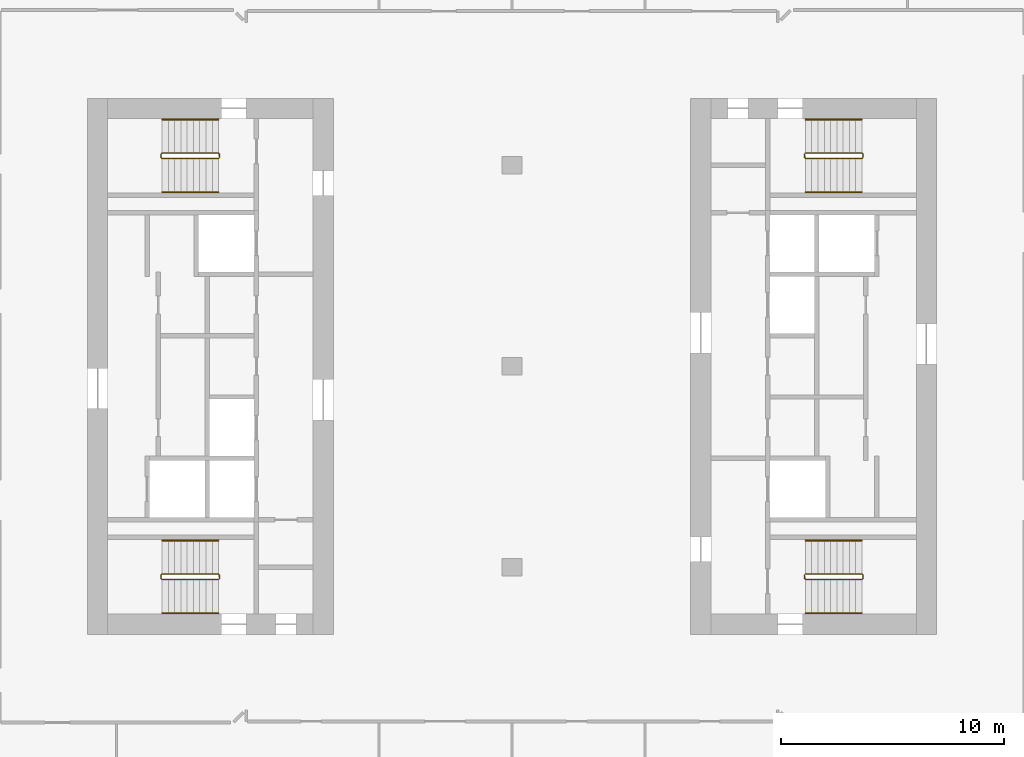
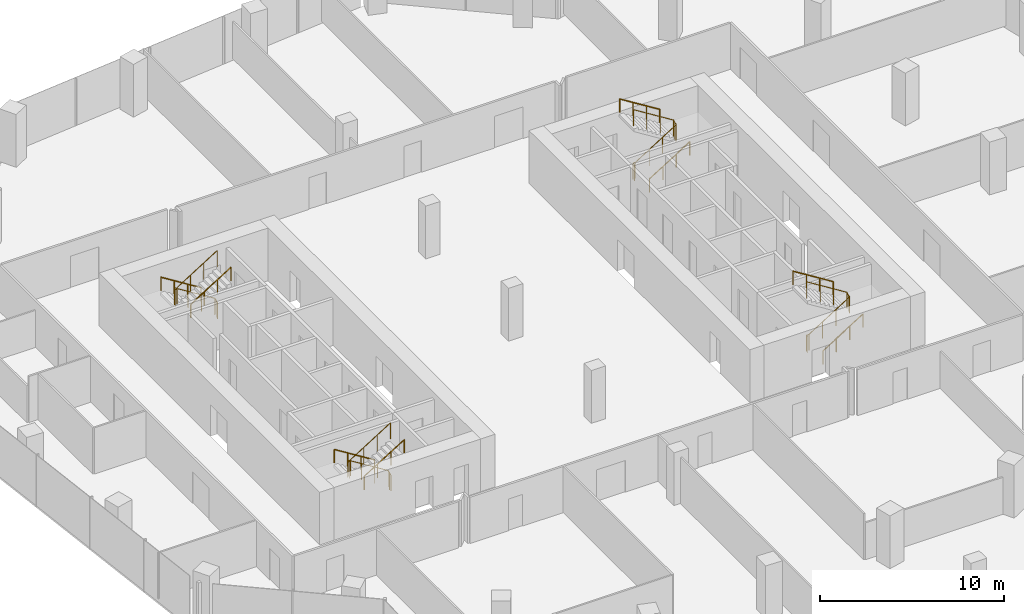
# One storey, part 22 of 23: 12 railings.
"""IFC4 building model written with IfcOpenShell, lengths in metres."""

import ifcopenshell
import ifcopenshell.guid

model = None  # the IFC model being written
_history = None  # IfcOwnerHistory: only IFC2X3 demands one
_inside = {}  # id of a spatial element -> (the spatial element, [elements in it])
_under = {}  # id of a project, library or spatial element -> (it, [spatial elements below it])
_declared = {}  # id of a project -> (the project, [libraries it declares])
_typed = {}  # id of a type object -> (the type object, [elements of that type])
_made_of = {}  # id of a material, layer set ... -> (it, [elements and type objects made of it])


def new_model(schema):
    """Start an empty IFC model of exactly this schema.

    Asked for "IFC4X3", IfcOpenShell would pick the latest addendum, in which some entities
    have other attributes; the version numbers below select the first issue.
    IFC2X3 requires an IfcOwnerHistory on every rooted entity: one is made here for all.
    """
    global model, _history
    if schema == "IFC4X3":
        model = ifcopenshell.file(schema_version=(4, 3, 0, 0))
    else:
        model = ifcopenshell.file(schema=schema)
    _inside.clear()
    _under.clear()
    _declared.clear()
    _typed.clear()
    _made_of.clear()
    _history = None
    if model.schema == "IFC2X3":
        org = make("IfcOrganization", Name="unknown")
        user = make(
            "IfcPersonAndOrganization",
            ThePerson=make("IfcPerson", FamilyName="unknown"),
            TheOrganization=org,
        )
        app = make(
            "IfcApplication",
            ApplicationDeveloper=org,
            Version="unknown",
            ApplicationFullName="unknown",
            ApplicationIdentifier="unknown",
        )
        _history = make(
            "IfcOwnerHistory",
            OwningUser=user,
            OwningApplication=app,
            ChangeAction="ADDED",
            CreationDate=0,
        )
    return model


def make(cls, **values):
    """One entity of the class cls with the attributes given. An attribute that is None is left unset."""
    return model.create_entity(
        cls, **{name: value for name, value in values.items() if value is not None}
    )


def rooted(cls, **values):
    """An entity with a GlobalId (a new one), such as an element, a storey or a relation."""
    return make(cls, GlobalId=ifcopenshell.guid.new(), OwnerHistory=_history, **values)


def si_unit(unit_type, name, prefix=None):
    """IfcSIUnit, for example si_unit("LENGTHUNIT", "METRE", prefix="MILLI")."""
    return make("IfcSIUnit", UnitType=unit_type, Prefix=prefix, Name=name)


def assignment(units):
    """IfcUnitAssignment: the units of a project."""
    return None if units is None else make("IfcUnitAssignment", Units=units)


def point(xyz):
    """IfcCartesianPoint."""
    return None if xyz is None else make("IfcCartesianPoint", Coordinates=xyz)


def direction(xyz):
    """IfcDirection."""
    return None if xyz is None else make("IfcDirection", DirectionRatios=xyz)


def frame(location, z_axis=None, x_axis=None):
    """IfcAxis2Placement3D, a coordinate frame: its origin and axes. An axis left out is left unset."""
    return make(
        "IfcAxis2Placement3D",
        Location=point(location),
        Axis=direction(z_axis),
        RefDirection=direction(x_axis),
    )


def frame_2d(location, x_axis=None):
    """IfcAxis2Placement2D, a coordinate frame in the plane: its origin and x axis."""
    return make(
        "IfcAxis2Placement2D", Location=point(location), RefDirection=direction(x_axis)
    )


def origin():
    """The frame at (0, 0, 0) with its axes left unset."""
    return frame((0.0, 0.0, 0.0))


def origin_2d():
    """The frame at (0, 0) in the plane with its x axis left unset."""
    return frame_2d((0.0, 0.0))


def place(relative_to, where):
    """IfcLocalPlacement: puts the frame where relative to a parent placement (None: the world)."""
    return make(
        "IfcLocalPlacement", PlacementRelTo=relative_to, RelativePlacement=where
    )


def context(
    kind, dimensions, precision=None, world=None, true_north=None, identifier=None
):
    """IfcGeometricRepresentationContext, for example the 3D "Model" context."""
    return make(
        "IfcGeometricRepresentationContext",
        ContextIdentifier=identifier,
        ContextType=kind,
        CoordinateSpaceDimension=dimensions,
        Precision=precision,
        WorldCoordinateSystem=world,
        TrueNorth=true_north,
    )


def subcontext(parent, identifier, kind, view, scale=None):
    """IfcGeometricRepresentationSubContext, for example "Body" below "Model"."""
    return make(
        "IfcGeometricRepresentationSubContext",
        ContextIdentifier=identifier,
        ContextType=kind,
        ParentContext=parent,
        TargetScale=scale,
        TargetView=view,
    )


def project(units=None, contexts=None):
    """IfcProject with its units and contexts."""
    return rooted(
        "IfcProject",
        Name="project",
        RepresentationContexts=contexts,
        UnitsInContext=assignment(units),
    )


def spatial(cls, under=None, at=None, **own):
    """A site, building, storey or space (cls), placed at a placement, below another one or the project."""
    s = rooted(cls, ObjectPlacement=at, **own)
    if under is not None:
        _under.setdefault(under.id(), (under, []))[1].append(s)
    return s


def profile(cls, at=None, kind="AREA", **sizes):
    """A parametric profile (cls). Its sizes go by their IFC names, for example OverallWidth=200.0."""
    return make(cls, ProfileType=kind, Position=at, **sizes)


def circle(**sizes):
    """IfcCircleProfileDef."""
    return profile("IfcCircleProfileDef", **sizes)


def extrude(swept, where, along, depth):
    """IfcExtrudedAreaSolid: the profile swept, set in the frame where, extruded along a direction by depth."""
    return make(
        "IfcExtrudedAreaSolid",
        SweptArea=swept,
        Position=where,
        ExtrudedDirection=direction(along),
        Depth=depth,
    )


def shape(context_of_items, identifier, shape_type, items):
    """IfcShapeRepresentation: the items that make up one representation, for example the "Body"."""
    return make(
        "IfcShapeRepresentation",
        ContextOfItems=context_of_items,
        RepresentationIdentifier=identifier,
        RepresentationType=shape_type,
        Items=items,
    )


def material(Name=None, Category=None):
    """IfcMaterial."""
    return make("IfcMaterial", Name=Name, Category=Category)


def made_of(thing, what):
    """Note that an element or type object is made of a material, layer set ...; save() writes the relation."""
    if what is not None:
        _made_of.setdefault(what.id(), (what, []))[1].append(thing)
    return thing


def type_object(cls, material=None, **own):
    """A type object (cls), such as IfcWallType, which elements share."""
    return made_of(rooted(cls, **own), material)


def element(
    cls,
    number,
    at=None,
    inside=None,
    cuts=None,
    type_object=None,
    material=None,
    context=None,
    identifier="Body",
    shape_type=None,
    held_by="IfcProductDefinitionShape",
    body=None,
    shapes=None,
    **own,
):
    """One element of the class cls, such as IfcWall. Its Tag is "e" and its number.

    at: its placement. inside: the storey or other place that contains it. cuts: it is an
    opening in that element (IfcRelVoidsElement). A single representation is given by context,
    identifier, shape_type and body (its items); several are given by shapes. held_by: the class
    of the entity that holds the representations. save() writes the other relations.
    """
    e = rooted(cls, Tag="e%d" % number, ObjectPlacement=at, **own)
    if body is not None:
        shapes = [shape(context, identifier, shape_type, body)]
    if shapes is not None:
        e.Representation = make(held_by, Representations=shapes)
    if inside is not None:
        _inside.setdefault(inside.id(), (inside, []))[1].append(e)
    if cuts is not None:
        rooted(
            "IfcRelVoidsElement", RelatingBuildingElement=cuts, RelatedOpeningElement=e
        )
    if type_object is not None:
        _typed.setdefault(type_object.id(), (type_object, []))[1].append(e)
    return made_of(e, material)


def aggregate(whole, parts):
    """IfcRelAggregates: a whole, such as a stair, and the parts it consists of."""
    return rooted("IfcRelAggregates", RelatingObject=whole, RelatedObjects=parts)


def save(model, path):
    """Write the relations noted so far, then the file.

    IfcRelAggregates (storeys below a building ...), IfcRelContainedInSpatialStructure (elements
    in a storey), IfcRelDefinesByType, IfcRelAssociatesMaterial and IfcRelDeclares: one each for
    every whole, place, type object, material and project.
    """
    for whole, parts in _under.values():
        aggregate(whole, parts)
    for where, things in _inside.values():
        rooted(
            "IfcRelContainedInSpatialStructure",
            RelatedElements=things,
            RelatingStructure=where,
        )
    for kind, things in _typed.values():
        rooted("IfcRelDefinesByType", RelatedObjects=things, RelatingType=kind)
    for what, things in _made_of.values():
        rooted("IfcRelAssociatesMaterial", RelatedObjects=things, RelatingMaterial=what)
    for by, libraries in _declared.values():
        rooted("IfcRelDeclares", RelatingContext=by, RelatedDefinitions=libraries)
    model.write(path)


model = new_model("IFC4")

# Units and contexts
model_context = context("Model", 3, precision=1e-05, world=origin(), true_north=direction((0.0, 1.0)))
body_context = subcontext(model_context, "Body", "Model", "MODEL_VIEW")
ifc_project = project(units=[si_unit("LENGTHUNIT", "METRE"), si_unit("AREAUNIT", "SQUARE_METRE"), si_unit("VOLUMEUNIT", "CUBIC_METRE"), si_unit("PLANEANGLEUNIT", "RADIAN"), si_unit("MASSUNIT", "GRAM", prefix="KILO")], contexts=[model_context])

# Site, building, storey
site_placement = place(None, origin())
site = spatial("IfcSite", under=ifc_project, at=site_placement, CompositionType="ELEMENT")
building_placement = place(site_placement, origin())
building = spatial("IfcBuilding", under=site, at=building_placement, Name="Orlundy Tower", CompositionType="ELEMENT")
storey_placement = place(building_placement, frame((0.0, 0.0, 221.0)))
storey = spatial("IfcBuildingStorey", under=building, at=storey_placement, Name="L58", CompositionType="ELEMENT", Elevation=221.0)

# Railings
ifc_material_1 = material(Name="Steel balustrade", Category="steel")
railing_type_1 = type_object("IfcRailingType", Name="Stair Guard 1100", PredefinedType="GUARDRAIL", material=ifc_material_1)
railing_1_placement = place(storey_placement, frame((-13.090087890625, 9.5, 0.0)))
element("IfcRailing", 1, at=railing_1_placement, inside=storey, type_object=railing_type_1, Name="L58 ST-W1 stair guard 1", PredefinedType="GUARDRAIL", context=body_context, shape_type="SweptSolid", body=[
    extrude(circle(Radius=0.02392578125, at=origin_2d()), frame((0.0, 0.0, 1.076171875), z_axis=(0.0, -1.0, 0.0), x_axis=(1.0, 0.0, 0.0)), (0.0, 0.0, 1.0), 0.14990234375),
    extrude(circle(Radius=0.02392578125, at=origin_2d()), frame((0.0, -0.14990234375, 1.076171875), z_axis=(-0.18420542264, 0.739530593833, 0.647427882513), x_axis=(-0.970351222016, -0.241699205484, 0.0)), (0.0, 0.0, 1.0), 0.270263671875),
    extrude(circle(Radius=0.02392578125, at=origin_2d()), frame((-0.0498046875, 0.050048828125, 1.2509765625), z_axis=(-0.848007534815, 0.0, 0.529984170421), x_axis=(0.0, -1.0, 0.0)), (0.0, 0.0, 1.0), 2.9716796875),
    extrude(circle(Radius=0.02392578125, at=origin_2d()), frame((-2.56982421875, 0.050048828125, 2.826171875), z_axis=(-0.707106781187, -0.707106781187, 0.0), x_axis=(0.707106781187, -0.707106781187, 0.0)), (0.0, 0.0, 1.0), 0.07080078125),
    extrude(circle(Radius=0.02392578125, at=origin_2d()), frame((-2.619873046875, 0.0, 2.826171875), z_axis=(0.0, -1.0, 0.0), x_axis=(1.0, 0.0, 0.0)), (0.0, 0.0, 1.0), 0.14990234375),
    extrude(circle(Radius=0.02392578125, at=origin_2d()), frame((-2.619873046875, -0.14990234375, 2.826171875), z_axis=(0.265065253269, -0.265065253269, 0.927081885822), x_axis=(0.707106781187, 0.707106781187, 0.0)), (0.0, 0.0, 1.0), 0.188720703125),
    extrude(circle(Radius=0.02392578125, at=origin_2d()), frame((-2.56982421875, -0.199951171875, 3.0009765625), z_axis=(0.848007534815, 0.0, 0.529984170421), x_axis=(0.0, 1.0, 0.0)), (0.0, 0.0, 1.0), 2.9716796875),
    extrude(circle(Radius=0.02099609375, at=origin_2d()), origin(), (0.0, 0.0, 1.0), 1.052001953125),
    extrude(circle(Radius=0.02099609375, at=origin_2d()), frame((0.0, -0.14990234375, 0.0)), (0.0, 0.0, 1.0), 1.052001953125),
    extrude(circle(Radius=0.02099609375, at=origin_2d()), frame((-0.0498046875, 0.050048828125, 0.175048828125)), (0.0, 0.0, 1.0), 1.052001953125),
    extrude(circle(Radius=0.02099609375, at=origin_2d()), frame((-0.889892578125, 0.050048828125, 0.699951171875)), (0.0, 0.0, 1.0), 1.052001953125),
    extrude(circle(Radius=0.02099609375, at=origin_2d()), frame((-1.729736328125, 0.050048828125, 1.22509765625)), (0.0, 0.0, 1.0), 1.052001953125),
    extrude(circle(Radius=0.02099609375, at=origin_2d()), frame((-2.56982421875, 0.050048828125, 1.75)), (0.0, 0.0, 1.0), 1.052001953125),
    extrude(circle(Radius=0.02099609375, at=origin_2d()), frame((-2.619873046875, 0.0, 1.75)), (0.0, 0.0, 1.0), 1.052001953125),
    extrude(circle(Radius=0.02099609375, at=origin_2d()), frame((-2.619873046875, -0.14990234375, 1.75)), (0.0, 0.0, 1.0), 1.052001953125),
    extrude(circle(Radius=0.02099609375, at=origin_2d()), frame((-2.56982421875, -0.199951171875, 1.925048828125)), (0.0, 0.0, 1.0), 1.052001953125),
    extrude(circle(Radius=0.02099609375, at=origin_2d()), frame((-1.729736328125, -0.199951171875, 2.449951171875)), (0.0, 0.0, 1.0), 1.052001953125),
    extrude(circle(Radius=0.02099609375, at=origin_2d()), frame((-0.889892578125, -0.199951171875, 2.97509765625)), (0.0, 0.0, 1.0), 1.052001953125),
    extrude(circle(Radius=0.02099609375, at=origin_2d()), frame((-0.0498046875, -0.199951171875, 3.5)), (0.0, 0.0, 1.0), 1.052001953125),
])
railing_2_placement = place(storey_placement, frame((-13.090087890625, -9.35009765625, 0.0)))
element("IfcRailing", 2, at=railing_2_placement, inside=storey, type_object=railing_type_1, Name="L58 ST-W2 stair guard 1", PredefinedType="GUARDRAIL", context=body_context, shape_type="SweptSolid", body=[
    extrude(circle(Radius=0.02392578125, at=origin_2d()), frame((0.0, 0.0, 1.076171875), z_axis=(0.0, -1.0, 0.0), x_axis=(1.0, 0.0, 0.0)), (0.0, 0.0, 1.0), 0.14990234375),
    extrude(circle(Radius=0.02392578125, at=origin_2d()), frame((0.0, -0.14990234375, 1.076171875), z_axis=(-0.18420542264, 0.739530593833, 0.647427882513), x_axis=(-0.970351222016, -0.241699205484, 0.0)), (0.0, 0.0, 1.0), 0.270263671875),
    extrude(circle(Radius=0.02392578125, at=origin_2d()), frame((-0.0498046875, 0.050048828125, 1.2509765625), z_axis=(-0.848007534815, 0.0, 0.529984170421), x_axis=(0.0, -1.0, 0.0)), (0.0, 0.0, 1.0), 2.9716796875),
    extrude(circle(Radius=0.02392578125, at=origin_2d()), frame((-2.56982421875, 0.050048828125, 2.826171875), z_axis=(-0.707106781187, -0.707106781187, 0.0), x_axis=(0.707106781187, -0.707106781187, 0.0)), (0.0, 0.0, 1.0), 0.07080078125),
    extrude(circle(Radius=0.02392578125, at=origin_2d()), frame((-2.619873046875, 0.0, 2.826171875), z_axis=(0.0, -1.0, 0.0), x_axis=(1.0, 0.0, 0.0)), (0.0, 0.0, 1.0), 0.14990234375),
    extrude(circle(Radius=0.02392578125, at=origin_2d()), frame((-2.619873046875, -0.14990234375, 2.826171875), z_axis=(0.265065253269, -0.265065253269, 0.927081885822), x_axis=(0.707106781187, 0.707106781187, 0.0)), (0.0, 0.0, 1.0), 0.188720703125),
    extrude(circle(Radius=0.02392578125, at=origin_2d()), frame((-2.56982421875, -0.199951171875, 3.0009765625), z_axis=(0.848007534815, 0.0, 0.529984170421), x_axis=(0.0, 1.0, 0.0)), (0.0, 0.0, 1.0), 2.9716796875),
    extrude(circle(Radius=0.02099609375, at=origin_2d()), origin(), (0.0, 0.0, 1.0), 1.052001953125),
    extrude(circle(Radius=0.02099609375, at=origin_2d()), frame((0.0, -0.14990234375, 0.0)), (0.0, 0.0, 1.0), 1.052001953125),
    extrude(circle(Radius=0.02099609375, at=origin_2d()), frame((-0.0498046875, 0.050048828125, 0.175048828125)), (0.0, 0.0, 1.0), 1.052001953125),
    extrude(circle(Radius=0.02099609375, at=origin_2d()), frame((-0.889892578125, 0.050048828125, 0.699951171875)), (0.0, 0.0, 1.0), 1.052001953125),
    extrude(circle(Radius=0.02099609375, at=origin_2d()), frame((-1.729736328125, 0.050048828125, 1.22509765625)), (0.0, 0.0, 1.0), 1.052001953125),
    extrude(circle(Radius=0.02099609375, at=origin_2d()), frame((-2.56982421875, 0.050048828125, 1.75)), (0.0, 0.0, 1.0), 1.052001953125),
    extrude(circle(Radius=0.02099609375, at=origin_2d()), frame((-2.619873046875, 0.0, 1.75)), (0.0, 0.0, 1.0), 1.052001953125),
    extrude(circle(Radius=0.02099609375, at=origin_2d()), frame((-2.619873046875, -0.14990234375, 1.75)), (0.0, 0.0, 1.0), 1.052001953125),
    extrude(circle(Radius=0.02099609375, at=origin_2d()), frame((-2.56982421875, -0.199951171875, 1.925048828125)), (0.0, 0.0, 1.0), 1.052001953125),
    extrude(circle(Radius=0.02099609375, at=origin_2d()), frame((-1.729736328125, -0.199951171875, 2.449951171875)), (0.0, 0.0, 1.0), 1.052001953125),
    extrude(circle(Radius=0.02099609375, at=origin_2d()), frame((-0.889892578125, -0.199951171875, 2.97509765625)), (0.0, 0.0, 1.0), 1.052001953125),
    extrude(circle(Radius=0.02099609375, at=origin_2d()), frame((-0.0498046875, -0.199951171875, 3.5)), (0.0, 0.0, 1.0), 1.052001953125),
])
railing_3_placement = place(storey_placement, frame((13.090087890625, -9.5, 0.0)))
element("IfcRailing", 3, at=railing_3_placement, inside=storey, type_object=railing_type_1, Name="L58 ST-E1 stair guard 1", PredefinedType="GUARDRAIL", context=body_context, shape_type="SweptSolid", body=[
    extrude(circle(Radius=0.02392578125, at=origin_2d()), frame((0.0, 0.0, 1.076171875), z_axis=(0.0, 1.0, 0.0), x_axis=(-1.0, 0.0, 0.0)), (0.0, 0.0, 1.0), 0.14990234375),
    extrude(circle(Radius=0.02392578125, at=origin_2d()), frame((0.0, 0.14990234375, 1.076171875), z_axis=(0.18420542264, -0.739530593833, 0.647427882513), x_axis=(0.970351222016, 0.241699205484, 0.0)), (0.0, 0.0, 1.0), 0.270263671875),
    extrude(circle(Radius=0.02392578125, at=origin_2d()), frame((0.0498046875, -0.050048828125, 1.2509765625), z_axis=(0.848007534815, 0.0, 0.529984170421), x_axis=(0.0, 1.0, 0.0)), (0.0, 0.0, 1.0), 2.9716796875),
    extrude(circle(Radius=0.02392578125, at=origin_2d()), frame((2.56982421875, -0.050048828125, 2.826171875), z_axis=(0.707106781187, 0.707106781187, 0.0), x_axis=(-0.707106781187, 0.707106781187, 0.0)), (0.0, 0.0, 1.0), 0.07080078125),
    extrude(circle(Radius=0.02392578125, at=origin_2d()), frame((2.619873046875, 0.0, 2.826171875), z_axis=(0.0, 1.0, 0.0), x_axis=(-1.0, 0.0, 0.0)), (0.0, 0.0, 1.0), 0.14990234375),
    extrude(circle(Radius=0.02392578125, at=origin_2d()), frame((2.619873046875, 0.14990234375, 2.826171875), z_axis=(-0.265065253269, 0.265065253269, 0.927081885822), x_axis=(-0.707106781187, -0.707106781187, 0.0)), (0.0, 0.0, 1.0), 0.188720703125),
    extrude(circle(Radius=0.02392578125, at=origin_2d()), frame((2.56982421875, 0.199951171875, 3.0009765625), z_axis=(-0.848007534815, 0.0, 0.529984170421), x_axis=(0.0, -1.0, 0.0)), (0.0, 0.0, 1.0), 2.9716796875),
    extrude(circle(Radius=0.02099609375, at=origin_2d()), origin(), (0.0, 0.0, 1.0), 1.052001953125),
    extrude(circle(Radius=0.02099609375, at=origin_2d()), frame((0.0, 0.14990234375, 0.0)), (0.0, 0.0, 1.0), 1.052001953125),
    extrude(circle(Radius=0.02099609375, at=origin_2d()), frame((0.0498046875, -0.050048828125, 0.175048828125)), (0.0, 0.0, 1.0), 1.052001953125),
    extrude(circle(Radius=0.02099609375, at=origin_2d()), frame((0.889892578125, -0.050048828125, 0.699951171875)), (0.0, 0.0, 1.0), 1.052001953125),
    extrude(circle(Radius=0.02099609375, at=origin_2d()), frame((1.729736328125, -0.050048828125, 1.22509765625)), (0.0, 0.0, 1.0), 1.052001953125),
    extrude(circle(Radius=0.02099609375, at=origin_2d()), frame((2.56982421875, -0.050048828125, 1.75)), (0.0, 0.0, 1.0), 1.052001953125),
    extrude(circle(Radius=0.02099609375, at=origin_2d()), frame((2.619873046875, 0.0, 1.75)), (0.0, 0.0, 1.0), 1.052001953125),
    extrude(circle(Radius=0.02099609375, at=origin_2d()), frame((2.619873046875, 0.14990234375, 1.75)), (0.0, 0.0, 1.0), 1.052001953125),
    extrude(circle(Radius=0.02099609375, at=origin_2d()), frame((2.56982421875, 0.199951171875, 1.925048828125)), (0.0, 0.0, 1.0), 1.052001953125),
    extrude(circle(Radius=0.02099609375, at=origin_2d()), frame((1.729736328125, 0.199951171875, 2.449951171875)), (0.0, 0.0, 1.0), 1.052001953125),
    extrude(circle(Radius=0.02099609375, at=origin_2d()), frame((0.889892578125, 0.199951171875, 2.97509765625)), (0.0, 0.0, 1.0), 1.052001953125),
    extrude(circle(Radius=0.02099609375, at=origin_2d()), frame((0.0498046875, 0.199951171875, 3.5)), (0.0, 0.0, 1.0), 1.052001953125),
])
railing_4_placement = place(storey_placement, frame((13.090087890625, 9.35009765625, 0.0)))
element("IfcRailing", 4, at=railing_4_placement, inside=storey, type_object=railing_type_1, Name="L58 ST-E2 stair guard 1", PredefinedType="GUARDRAIL", context=body_context, shape_type="SweptSolid", body=[
    extrude(circle(Radius=0.02392578125, at=origin_2d()), frame((0.0, 0.0, 1.076171875), z_axis=(0.0, 1.0, 0.0), x_axis=(-1.0, 0.0, 0.0)), (0.0, 0.0, 1.0), 0.14990234375),
    extrude(circle(Radius=0.02392578125, at=origin_2d()), frame((0.0, 0.14990234375, 1.076171875), z_axis=(0.18420542264, -0.739530593833, 0.647427882513), x_axis=(0.970351222016, 0.241699205484, 0.0)), (0.0, 0.0, 1.0), 0.270263671875),
    extrude(circle(Radius=0.02392578125, at=origin_2d()), frame((0.0498046875, -0.050048828125, 1.2509765625), z_axis=(0.848007534815, 0.0, 0.529984170421), x_axis=(0.0, 1.0, 0.0)), (0.0, 0.0, 1.0), 2.9716796875),
    extrude(circle(Radius=0.02392578125, at=origin_2d()), frame((2.56982421875, -0.050048828125, 2.826171875), z_axis=(0.707106781187, 0.707106781187, 0.0), x_axis=(-0.707106781187, 0.707106781187, 0.0)), (0.0, 0.0, 1.0), 0.07080078125),
    extrude(circle(Radius=0.02392578125, at=origin_2d()), frame((2.619873046875, 0.0, 2.826171875), z_axis=(0.0, 1.0, 0.0), x_axis=(-1.0, 0.0, 0.0)), (0.0, 0.0, 1.0), 0.14990234375),
    extrude(circle(Radius=0.02392578125, at=origin_2d()), frame((2.619873046875, 0.14990234375, 2.826171875), z_axis=(-0.265065253269, 0.265065253269, 0.927081885822), x_axis=(-0.707106781187, -0.707106781187, 0.0)), (0.0, 0.0, 1.0), 0.188720703125),
    extrude(circle(Radius=0.02392578125, at=origin_2d()), frame((2.56982421875, 0.199951171875, 3.0009765625), z_axis=(-0.848007534815, 0.0, 0.529984170421), x_axis=(0.0, -1.0, 0.0)), (0.0, 0.0, 1.0), 2.9716796875),
    extrude(circle(Radius=0.02099609375, at=origin_2d()), origin(), (0.0, 0.0, 1.0), 1.052001953125),
    extrude(circle(Radius=0.02099609375, at=origin_2d()), frame((0.0, 0.14990234375, 0.0)), (0.0, 0.0, 1.0), 1.052001953125),
    extrude(circle(Radius=0.02099609375, at=origin_2d()), frame((0.0498046875, -0.050048828125, 0.175048828125)), (0.0, 0.0, 1.0), 1.052001953125),
    extrude(circle(Radius=0.02099609375, at=origin_2d()), frame((0.889892578125, -0.050048828125, 0.699951171875)), (0.0, 0.0, 1.0), 1.052001953125),
    extrude(circle(Radius=0.02099609375, at=origin_2d()), frame((1.729736328125, -0.050048828125, 1.22509765625)), (0.0, 0.0, 1.0), 1.052001953125),
    extrude(circle(Radius=0.02099609375, at=origin_2d()), frame((2.56982421875, -0.050048828125, 1.75)), (0.0, 0.0, 1.0), 1.052001953125),
    extrude(circle(Radius=0.02099609375, at=origin_2d()), frame((2.619873046875, 0.0, 1.75)), (0.0, 0.0, 1.0), 1.052001953125),
    extrude(circle(Radius=0.02099609375, at=origin_2d()), frame((2.619873046875, 0.14990234375, 1.75)), (0.0, 0.0, 1.0), 1.052001953125),
    extrude(circle(Radius=0.02099609375, at=origin_2d()), frame((2.56982421875, 0.199951171875, 1.925048828125)), (0.0, 0.0, 1.0), 1.052001953125),
    extrude(circle(Radius=0.02099609375, at=origin_2d()), frame((1.729736328125, 0.199951171875, 2.449951171875)), (0.0, 0.0, 1.0), 1.052001953125),
    extrude(circle(Radius=0.02099609375, at=origin_2d()), frame((0.889892578125, 0.199951171875, 2.97509765625)), (0.0, 0.0, 1.0), 1.052001953125),
    extrude(circle(Radius=0.02099609375, at=origin_2d()), frame((0.0498046875, 0.199951171875, 3.5)), (0.0, 0.0, 1.0), 1.052001953125),
])
ifc_material_2 = material(Name="Steel handrail", Category="steel")
railing_type_2 = type_object("IfcRailingType", Name="Stair Handrail 900", PredefinedType="HANDRAIL", material=ifc_material_2)
railing_5_placement = place(storey_placement, frame((-13.139892578125, 11.050048828125, 0.175048828125)))
element("IfcRailing", 5, at=railing_5_placement, inside=storey, type_object=railing_type_2, Name="L58 ST-W1 stair handrail 1", PredefinedType="HANDRAIL", context=body_context, shape_type="SweptSolid", body=[
    extrude(circle(Radius=0.02392578125, at=origin_2d()), frame((0.0, 0.0, 0.8759765625), z_axis=(-0.848007534815, 0.0, 0.529984170421), x_axis=(0.0, -1.0, 0.0)), (0.0, 0.0, 1.0), 2.9716796875),
    extrude(circle(Radius=0.02099609375, at=origin_2d()), origin(), (0.0, 0.0, 1.0), 0.851806640625),
    extrude(circle(Radius=0.02099609375, at=origin_2d()), frame((-0.840087890625, 0.0, 0.52490234375)), (0.0, 0.0, 1.0), 0.851806640625),
    extrude(circle(Radius=0.02099609375, at=origin_2d()), frame((-1.679931640625, 0.0, 1.050048828125)), (0.0, 0.0, 1.0), 0.851806640625),
    extrude(circle(Radius=0.02099609375, at=origin_2d()), frame((-2.52001953125, 0.0, 1.574951171875)), (0.0, 0.0, 1.0), 0.851806640625),
])
railing_6_placement = place(storey_placement, frame((-15.659912109375, 7.800048828125, 1.925048828125)))
element("IfcRailing", 6, at=railing_6_placement, inside=storey, type_object=railing_type_2, Name="L58 ST-W1 stair handrail 2", PredefinedType="HANDRAIL", context=body_context, shape_type="SweptSolid", body=[
    extrude(circle(Radius=0.02392578125, at=origin_2d()), frame((0.0, 0.0, 0.8759765625), z_axis=(0.848007534815, 0.0, 0.529984170421), x_axis=(0.0, 1.0, 0.0)), (0.0, 0.0, 1.0), 2.9716796875),
    extrude(circle(Radius=0.02099609375, at=origin_2d()), origin(), (0.0, 0.0, 1.0), 0.851806640625),
    extrude(circle(Radius=0.02099609375, at=origin_2d()), frame((0.840087890625, 0.0, 0.52490234375)), (0.0, 0.0, 1.0), 0.851806640625),
    extrude(circle(Radius=0.02099609375, at=origin_2d()), frame((1.679931640625, 0.0, 1.050048828125)), (0.0, 0.0, 1.0), 0.851806640625),
    extrude(circle(Radius=0.02099609375, at=origin_2d()), frame((2.52001953125, 0.0, 1.574951171875)), (0.0, 0.0, 1.0), 0.851806640625),
])
railing_7_placement = place(storey_placement, frame((-13.139892578125, -7.800048828125, 0.175048828125)))
element("IfcRailing", 7, at=railing_7_placement, inside=storey, type_object=railing_type_2, Name="L58 ST-W2 stair handrail 1", PredefinedType="HANDRAIL", context=body_context, shape_type="SweptSolid", body=[
    extrude(circle(Radius=0.02392578125, at=origin_2d()), frame((0.0, 0.0, 0.8759765625), z_axis=(-0.848007534815, 0.0, 0.529984170421), x_axis=(0.0, -1.0, 0.0)), (0.0, 0.0, 1.0), 2.9716796875),
    extrude(circle(Radius=0.02099609375, at=origin_2d()), origin(), (0.0, 0.0, 1.0), 0.851806640625),
    extrude(circle(Radius=0.02099609375, at=origin_2d()), frame((-0.840087890625, 0.0, 0.52490234375)), (0.0, 0.0, 1.0), 0.851806640625),
    extrude(circle(Radius=0.02099609375, at=origin_2d()), frame((-1.679931640625, 0.0, 1.050048828125)), (0.0, 0.0, 1.0), 0.851806640625),
    extrude(circle(Radius=0.02099609375, at=origin_2d()), frame((-2.52001953125, 0.0, 1.574951171875)), (0.0, 0.0, 1.0), 0.851806640625),
])
for number, where, name in (
    (8, (-15.659912109375, -11.050048828125, 1.925048828125), "L58 ST-W2 stair handrail 2"),
    (9, (13.139892578125, -11.050048828125, 0.175048828125), "L58 ST-E1 stair handrail 1"),
):
    element("IfcRailing", number, at=place(storey_placement, frame(where)), inside=storey, type_object=railing_type_2, Name=name, PredefinedType="HANDRAIL", context=body_context, shape_type="SweptSolid", body=[
        extrude(circle(Radius=0.02392578125, at=origin_2d()), frame((0.0, 0.0, 0.8759765625), z_axis=(0.848007534815, 0.0, 0.529984170421), x_axis=(0.0, 1.0, 0.0)), (0.0, 0.0, 1.0), 2.9716796875),
        extrude(circle(Radius=0.02099609375, at=origin_2d()), origin(), (0.0, 0.0, 1.0), 0.851806640625),
        extrude(circle(Radius=0.02099609375, at=origin_2d()), frame((0.840087890625, 0.0, 0.52490234375)), (0.0, 0.0, 1.0), 0.851806640625),
        extrude(circle(Radius=0.02099609375, at=origin_2d()), frame((1.679931640625, 0.0, 1.050048828125)), (0.0, 0.0, 1.0), 0.851806640625),
        extrude(circle(Radius=0.02099609375, at=origin_2d()), frame((2.52001953125, 0.0, 1.574951171875)), (0.0, 0.0, 1.0), 0.851806640625),
    ])
railing_8_placement = place(storey_placement, frame((15.659912109375, -7.800048828125, 1.925048828125)))
element("IfcRailing", 10, at=railing_8_placement, inside=storey, type_object=railing_type_2, Name="L58 ST-E1 stair handrail 2", PredefinedType="HANDRAIL", context=body_context, shape_type="SweptSolid", body=[
    extrude(circle(Radius=0.02392578125, at=origin_2d()), frame((0.0, 0.0, 0.8759765625), z_axis=(-0.848007534815, 0.0, 0.529984170421), x_axis=(0.0, -1.0, 0.0)), (0.0, 0.0, 1.0), 2.9716796875),
    extrude(circle(Radius=0.02099609375, at=origin_2d()), origin(), (0.0, 0.0, 1.0), 0.851806640625),
    extrude(circle(Radius=0.02099609375, at=origin_2d()), frame((-0.840087890625, 0.0, 0.52490234375)), (0.0, 0.0, 1.0), 0.851806640625),
    extrude(circle(Radius=0.02099609375, at=origin_2d()), frame((-1.679931640625, 0.0, 1.050048828125)), (0.0, 0.0, 1.0), 0.851806640625),
    extrude(circle(Radius=0.02099609375, at=origin_2d()), frame((-2.52001953125, 0.0, 1.574951171875)), (0.0, 0.0, 1.0), 0.851806640625),
])
railing_9_placement = place(storey_placement, frame((13.139892578125, 7.800048828125, 0.175048828125)))
element("IfcRailing", 11, at=railing_9_placement, inside=storey, type_object=railing_type_2, Name="L58 ST-E2 stair handrail 1", PredefinedType="HANDRAIL", context=body_context, shape_type="SweptSolid", body=[
    extrude(circle(Radius=0.02392578125, at=origin_2d()), frame((0.0, 0.0, 0.8759765625), z_axis=(0.848007534815, 0.0, 0.529984170421), x_axis=(0.0, 1.0, 0.0)), (0.0, 0.0, 1.0), 2.9716796875),
    extrude(circle(Radius=0.02099609375, at=origin_2d()), origin(), (0.0, 0.0, 1.0), 0.851806640625),
    extrude(circle(Radius=0.02099609375, at=origin_2d()), frame((0.840087890625, 0.0, 0.52490234375)), (0.0, 0.0, 1.0), 0.851806640625),
    extrude(circle(Radius=0.02099609375, at=origin_2d()), frame((1.679931640625, 0.0, 1.050048828125)), (0.0, 0.0, 1.0), 0.851806640625),
    extrude(circle(Radius=0.02099609375, at=origin_2d()), frame((2.52001953125, 0.0, 1.574951171875)), (0.0, 0.0, 1.0), 0.851806640625),
])
railing_10_placement = place(storey_placement, frame((15.659912109375, 11.050048828125, 1.925048828125)))
element("IfcRailing", 12, at=railing_10_placement, inside=storey, type_object=railing_type_2, Name="L58 ST-E2 stair handrail 2", PredefinedType="HANDRAIL", context=body_context, shape_type="SweptSolid", body=[
    extrude(circle(Radius=0.02392578125, at=origin_2d()), frame((0.0, 0.0, 0.8759765625), z_axis=(-0.848007534815, 0.0, 0.529984170421), x_axis=(0.0, -1.0, 0.0)), (0.0, 0.0, 1.0), 2.9716796875),
    extrude(circle(Radius=0.02099609375, at=origin_2d()), origin(), (0.0, 0.0, 1.0), 0.851806640625),
    extrude(circle(Radius=0.02099609375, at=origin_2d()), frame((-0.840087890625, 0.0, 0.52490234375)), (0.0, 0.0, 1.0), 0.851806640625),
    extrude(circle(Radius=0.02099609375, at=origin_2d()), frame((-1.679931640625, 0.0, 1.050048828125)), (0.0, 0.0, 1.0), 0.851806640625),
    extrude(circle(Radius=0.02099609375, at=origin_2d()), frame((-2.52001953125, 0.0, 1.574951171875)), (0.0, 0.0, 1.0), 0.851806640625),
])

save(model, "model.ifc")
